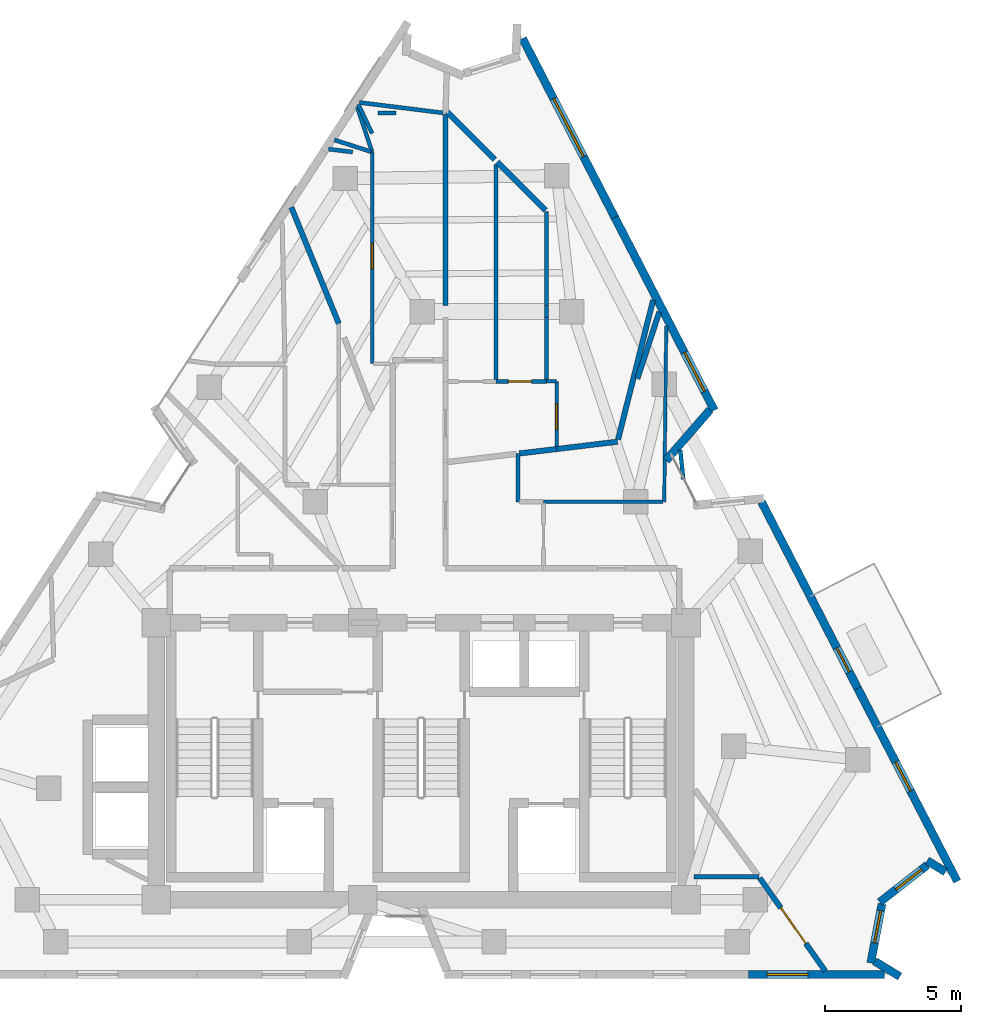
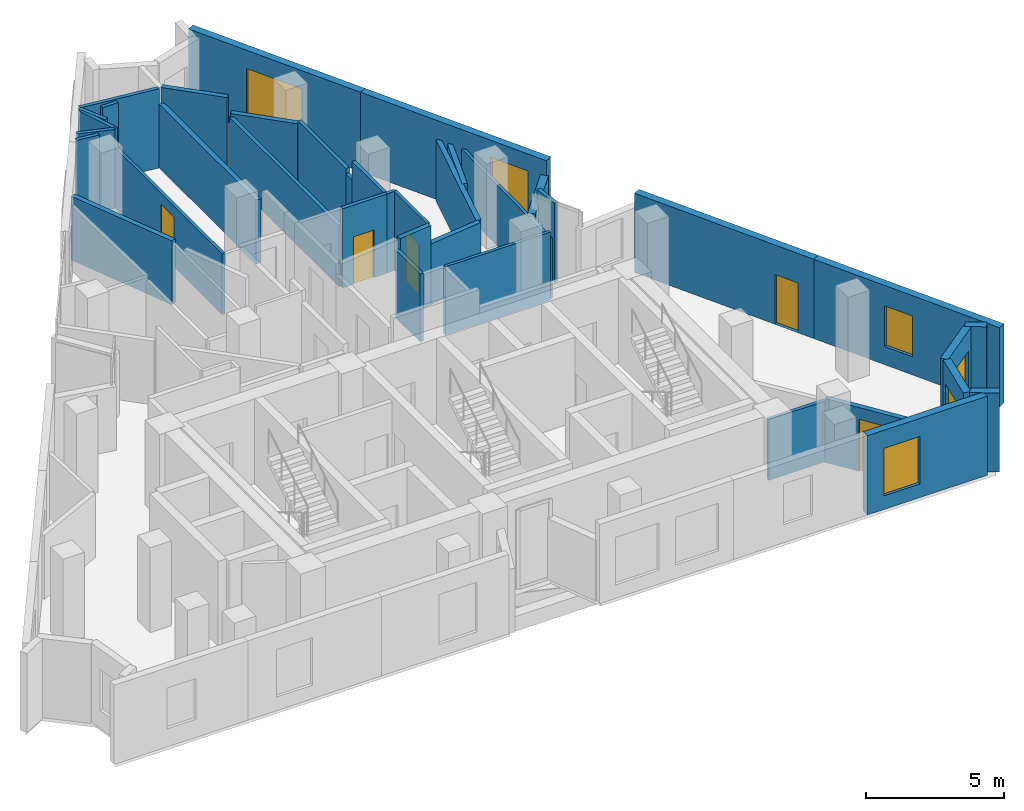
# One storey, part 7 of 10: 38 walls, 6 windows, 5 doors, 11 openings.
"""IFC4 building model written with IfcOpenShell, lengths in metres."""

from ifc_helpers import new_model, si_unit, direction, frame, frame_2d, origin, place, context, subcontext, project, spatial, rectangle, extrude, material, layer, layer_set, type_object, element, fill, save


model = new_model("IFC4")

# Units and contexts
model_context = context("Model", 3, precision=1e-05, world=origin(), true_north=direction((0.0, 1.0)))
body_context = subcontext(model_context, "Body", "Model", "MODEL_VIEW")
ifc_project = project(units=[si_unit("LENGTHUNIT", "METRE"), si_unit("AREAUNIT", "SQUARE_METRE"), si_unit("VOLUMEUNIT", "CUBIC_METRE"), si_unit("PLANEANGLEUNIT", "RADIAN"), si_unit("MASSUNIT", "GRAM", prefix="KILO")], contexts=[model_context])

# Site, building, storey
site_placement = place(None, origin())
site = spatial("IfcSite", under=ifc_project, at=site_placement, CompositionType="ELEMENT")
building_placement = place(site_placement, origin())
building = spatial("IfcBuilding", under=site, at=building_placement, Name="Almagre Mirador Tower", CompositionType="ELEMENT")
storey_placement = place(building_placement, frame((0.0, 0.0, 222.0)))
storey = spatial("IfcBuildingStorey", under=building, at=storey_placement, Name="L57", CompositionType="ELEMENT", Elevation=222.0)

# Wall, opening, window
ifc_material_1 = material(Name="Precast concrete C50/60", Category="concrete")
ifc_layer_1 = layer(ifc_material_1, 0.300048828125)
ifc_layer_set_1 = layer_set([ifc_layer_1], Name="Precast concrete C50/60")
wall_type_1 = type_object("IfcWallType", Name="WAL-EXT-300", PredefinedType="SOLIDWALL", material=ifc_layer_set_1)
wall_1_placement = place(storey_placement, frame((41.036865234375, 36.24951171875, 0.0), z_axis=(0.0, 0.0, 1.0), x_axis=(0.458281808999, -0.888806943909, 0.0)))
wall_1 = element("IfcWall", 1, at=wall_1_placement, inside=storey, type_object=wall_type_1, Name="L57 expressed almagre precast frame wall 09", PredefinedType="SOLIDWALL", context=body_context, shape_type="SweptSolid", body=[
    extrude(rectangle(XDim=7.406005859375, YDim=0.300048828125, at=frame_2d((3.703125, 0.0))), origin(), (0.0, 0.0, 1.0), 3.5),
])
opening_1_placement = place(wall_1_placement, frame((2.489990234375, 0.0, 0.60009765625)))
opening_1 = element("IfcOpeningElement", 2, at=opening_1_placement, cuts=wall_1, Name="Opening WN-02", PredefinedType="OPENING", context=body_context, shape_type="SweptSolid", body=[
    extrude(rectangle(XDim=2.39990234375, YDim=2.10009765625, at=frame_2d((1.199951171875, 1.050048828125))), frame((0.0, 0.159902, 0.0), z_axis=(0.0, -1.0, 0.0), x_axis=(1.0, 0.0, 0.0)), (0.0, 0.0, 1.0), 0.320049),
])
ifc_material_2 = material(Name="Dark solar-control laminated hurricane glass", Category="glass")
window_type_1 = type_object("IfcWindowType", Name="WIN-2400X2100", PartitioningType="TRIPLE_PANEL_VERTICAL", PredefinedType="WINDOW", material=ifc_material_2)
window_1_placement = place(opening_1_placement, origin())
window_1 = element("IfcWindow", 3, at=window_1_placement, inside=storey, type_object=window_type_1, Name="L57 recessed hurricane window L57-RST-K", OverallHeight=2.10009765625, OverallWidth=2.39990234375, PartitioningType="SINGLE_PANEL", PredefinedType="WINDOW", context=body_context, shape_type="SweptSolid", body=[
    extrude(rectangle(XDim=2.39990234375, YDim=2.10009765625, at=frame_2d((1.199951171875, 1.050048828125))), frame((0.0, 0.030029296875, 0.0), z_axis=(0.0, -1.0, 0.0), x_axis=(1.0, 0.0, 0.0)), (0.0, 0.0, 1.0), 0.06005859375),
])
fill(opening_1, window_1)

wall_2_placement = place(storey_placement, frame((44.430908203125, 29.6669921875, 0.0), z_axis=(0.0, 0.0, 1.0), x_axis=(0.45831213698, -0.888791305705, 0.0)))
wall_2 = element("IfcWall", 4, at=wall_2_placement, inside=storey, type_object=wall_type_1, Name="L57 expressed almagre precast frame wall 10", PredefinedType="SOLIDWALL", context=body_context, shape_type="SweptSolid", body=[
    extrude(rectangle(XDim=7.990966796875, YDim=0.300048828125, at=frame_2d((3.99560546875, 0.0))), origin(), (0.0, 0.0, 1.0), 3.5),
])
opening_2_placement = place(wall_2_placement, frame((5.60009765625, 0.0, 0.550048828125)))
opening_2 = element("IfcOpeningElement", 5, at=opening_2_placement, cuts=wall_2, Name="Opening WN-06", PredefinedType="OPENING", context=body_context, shape_type="SweptSolid", body=[
    extrude(rectangle(XDim=1.60009765625, YDim=2.199951171875, at=frame_2d((0.800048828125, 1.10009765625))), frame((0.0, 0.159902, 0.0), z_axis=(0.0, -1.0, 0.0), x_axis=(1.0, 0.0, 0.0)), (0.0, 0.0, 1.0), 0.320049),
])
ifc_material_3 = material(Name="Dark solar-control laminated hurricane glass", Category="glass")
window_type_2 = type_object("IfcWindowType", Name="WIN-1600X2200", PartitioningType="DOUBLE_PANEL_VERTICAL", PredefinedType="WINDOW", material=ifc_material_3)
window_2_placement = place(opening_2_placement, origin())
window_2 = element("IfcWindow", 6, at=window_2_placement, inside=storey, type_object=window_type_2, Name="L57 recessed hurricane window L57-UF-ST", OverallHeight=2.199951171875, OverallWidth=1.60009765625, PartitioningType="SINGLE_PANEL", PredefinedType="WINDOW", context=body_context, shape_type="SweptSolid", body=[
    extrude(rectangle(XDim=1.60009765625, YDim=2.199951171875, at=frame_2d((0.800048828125, 1.10009765625))), frame((0.0, 0.030029296875, 0.0), z_axis=(0.0, -1.0, 0.0), x_axis=(1.0, 0.0, 0.0)), (0.0, 0.0, 1.0), 0.06005859375),
])
fill(opening_2, window_2)

# Wall
wall_3_placement = place(storey_placement, frame((47.93701171875, 22.58349609375, 0.0), z_axis=(0.0, 0.0, 1.0), x_axis=(-0.656320509713, -0.754482198948, 0.0)))
element("IfcWall", 7, at=wall_3_placement, inside=storey, type_object=wall_type_1, Name="L57 expressed almagre precast frame wall 11", PredefinedType="SOLIDWALL", context=body_context, shape_type="SweptSolid", body=[
    extrude(rectangle(XDim=2.47216796875, YDim=0.300048828125, at=frame_2d((1.236083984375, 0.0))), origin(), (0.0, 0.0, 1.0), 2.824951171875),
])

# Wall, opening, door
wall_4_placement = place(storey_placement, frame((49.832763671875, 19.19091796875, 0.0), z_axis=(0.0, 0.0, 1.0), x_axis=(0.458291476536, -0.88880195912, 0.0)))
wall_4 = element("IfcWall", 8, at=wall_4_placement, inside=storey, type_object=wall_type_1, Name="L57 expressed almagre precast frame wall 13", PredefinedType="SOLIDWALL", context=body_context, shape_type="SweptSolid", body=[
    extrude(rectangle(XDim=7.7158203125, YDim=0.300048828125, at=frame_2d((3.85791015625, 0.0))), origin(), (0.0, 0.0, 1.0), 3.5),
])
opening_3_placement = place(wall_4_placement, frame((6.038818359375, 0.0, 0.0)))
opening_3 = element("IfcOpeningElement", 9, at=opening_3_placement, cuts=wall_4, Name="Opening BD-01", PredefinedType="OPENING", context=body_context, shape_type="SweptSolid", body=[
    extrude(rectangle(XDim=1.0, YDim=2.199951171875, at=frame_2d((0.5, 1.10009765625))), frame((0.0, 0.159902, 0.0), z_axis=(0.0, -1.0, 0.0), x_axis=(1.0, 0.0, 0.0)), (0.0, 0.0, 1.0), 0.320049),
])
ifc_material_4 = material(Name="Black anodized aluminium and laminated glass", Category="aluminium")
door_type_1 = type_object("IfcDoorType", Name="DOR-BAL-1000X2200", OperationType="NOTDEFINED", PredefinedType="DOOR", material=ifc_material_4)
door_1_placement = place(opening_3_placement, origin())
door_1 = element("IfcDoor", 10, at=door_1_placement, inside=storey, type_object=door_type_1, Name="DR-1752 L57 east balcony glazed door 1", OperationType="SINGLE_SWING_RIGHT", OverallHeight=2.199951171875, OverallWidth=1.0, PredefinedType="DOOR", context=body_context, shape_type="SweptSolid", body=[
    extrude(rectangle(XDim=1.0, YDim=2.199951171875, at=frame_2d((0.5, 1.10009765625))), frame((0.0, 0.02490234375, 0.0), z_axis=(0.0, -1.0, 0.0), x_axis=(1.0, 0.0, 0.0)), (0.0, 0.0, 1.0), 0.050048828125),
])
fill(opening_3, door_1)

# Wall, opening, window
wall_5_placement = place(storey_placement, frame((53.368896484375, 12.3330078125, 0.0), z_axis=(0.0, 0.0, 1.0), x_axis=(0.45831213698, -0.888791305705, 0.0)))
wall_5 = element("IfcWall", 11, at=wall_5_placement, inside=storey, type_object=wall_type_1, Name="L57 expressed almagre precast frame wall 14", PredefinedType="SOLIDWALL", context=body_context, shape_type="SweptSolid", body=[
    extrude(rectangle(XDim=7.990966796875, YDim=0.300048828125, at=frame_2d((3.99560546875, 0.0))), origin(), (0.0, 0.0, 1.0), 3.5),
])
opening_4_placement = place(wall_5_placement, frame((3.050048828125, 0.0, 0.800048828125)))
opening_4 = element("IfcOpeningElement", 12, at=opening_4_placement, cuts=wall_5, Name="Opening WN-04", PredefinedType="OPENING", context=body_context, shape_type="SweptSolid", body=[
    extrude(rectangle(XDim=1.199951171875, YDim=1.800048828125, at=frame_2d((0.60009765625, 0.89990234375))), frame((0.0, 0.159902, 0.0), z_axis=(0.0, -1.0, 0.0), x_axis=(1.0, 0.0, 0.0)), (0.0, 0.0, 1.0), 0.320049),
])
ifc_material_5 = material(Name="Dark solar-control laminated hurricane glass", Category="glass")
window_type_3 = type_object("IfcWindowType", Name="WIN-1200X1800", PartitioningType="SINGLE_PANEL", PredefinedType="WINDOW", material=ifc_material_5)
window_3_placement = place(opening_4_placement, origin())
window_3 = element("IfcWindow", 13, at=window_3_placement, inside=storey, type_object=window_type_3, Name="L57 recessed hurricane window L57-RST-C", OverallHeight=1.800048828125, OverallWidth=1.199951171875, PartitioningType="SINGLE_PANEL", PredefinedType="WINDOW", context=body_context, shape_type="SweptSolid", body=[
    extrude(rectangle(XDim=1.199951171875, YDim=1.800048828125, at=frame_2d((0.60009765625, 0.89990234375))), frame((0.0, 0.030029296875, 0.0), z_axis=(0.0, -1.0, 0.0), x_axis=(1.0, 0.0, 0.0)), (0.0, 0.0, 1.0), 0.06005859375),
])
fill(opening_4, window_3)

# Wall
wall_6_placement = place(storey_placement, frame((56.60400390625, 5.576171875, 0.0), z_axis=(0.0, 0.0, 1.0), x_axis=(-0.853729558339, 0.520716661168, 0.0)))
element("IfcWall", 14, at=wall_6_placement, inside=storey, type_object=wall_type_1, Name="L57 expressed almagre precast frame wall 15", PredefinedType="SOLIDWALL", context=body_context, shape_type="SweptSolid", body=[
    extrude(rectangle(XDim=0.794677734375, YDim=0.300048828125, at=frame_2d((0.3974609375, 0.0))), origin(), (0.0, 0.0, 1.0), 3.5),
])

# Wall, opening, window
wall_7_placement = place(storey_placement, frame((55.934814453125, 5.830810546875, 0.0), z_axis=(0.0, 0.0, 1.0), x_axis=(-0.788358616074, -0.61521597221, 0.0)))
wall_7 = element("IfcWall", 15, at=wall_7_placement, inside=storey, type_object=wall_type_1, Name="L57 expressed almagre precast frame wall 16", PredefinedType="SOLIDWALL", context=body_context, shape_type="SweptSolid", body=[
    extrude(rectangle(XDim=2.22509765625, YDim=0.300048828125, at=frame_2d((1.112548828125, 0.0))), origin(), (0.0, 0.0, 1.0), 3.5),
])
opening_5_placement = place(wall_7_placement, frame((0.27001953125, 0.0, 0.800048828125)))
opening_5 = element("IfcOpeningElement", 16, at=opening_5_placement, cuts=wall_7, Name="Opening WN-04", PredefinedType="OPENING", context=body_context, shape_type="SweptSolid", body=[
    extrude(rectangle(XDim=1.199951171875, YDim=1.800048828125, at=frame_2d((0.60009765625, 0.89990234375))), frame((0.0, 0.159902, 0.0), z_axis=(0.0, -1.0, 0.0), x_axis=(1.0, 0.0, 0.0)), (0.0, 0.0, 1.0), 0.320049),
])
window_4_placement = place(opening_5_placement, origin())
window_4 = element("IfcWindow", 17, at=window_4_placement, inside=storey, type_object=window_type_3, Name="L57 recessed hurricane window L57-RST-C", OverallHeight=1.800048828125, OverallWidth=1.199951171875, PartitioningType="SINGLE_PANEL", PredefinedType="WINDOW", context=body_context, shape_type="SweptSolid", body=[
    extrude(rectangle(XDim=1.199951171875, YDim=1.800048828125, at=frame_2d((0.60009765625, 0.89990234375))), frame((0.0, 0.030029296875, 0.0), z_axis=(0.0, -1.0, 0.0), x_axis=(1.0, 0.0, 0.0)), (0.0, 0.0, 1.0), 0.06005859375),
])
fill(opening_5, window_4)

wall_8_placement = place(storey_placement, frame((54.26318359375, 4.400634765625, 0.0), z_axis=(0.0, 0.0, 1.0), x_axis=(-0.185632792315, -0.982619186876, 0.0)))
wall_8 = element("IfcWall", 18, at=wall_8_placement, inside=storey, type_object=wall_type_1, Name="L57 expressed almagre precast frame wall 17", PredefinedType="SOLIDWALL", context=body_context, shape_type="SweptSolid", body=[
    extrude(rectangle(XDim=2.21484375, YDim=0.300048828125, at=frame_2d((1.107421875, 0.0))), origin(), (0.0, 0.0, 1.0), 3.5),
])
opening_6_placement = place(wall_8_placement, frame((0.260009765625, 0.0, 0.800048828125)))
opening_6 = element("IfcOpeningElement", 19, at=opening_6_placement, cuts=wall_8, Name="Opening WN-04", PredefinedType="OPENING", context=body_context, shape_type="SweptSolid", body=[
    extrude(rectangle(XDim=1.199951171875, YDim=1.800048828125, at=frame_2d((0.60009765625, 0.89990234375))), frame((0.0, 0.159902, 0.0), z_axis=(0.0, -1.0, 0.0), x_axis=(1.0, 0.0, 0.0)), (0.0, 0.0, 1.0), 0.320049),
])
window_5_placement = place(opening_6_placement, origin())
window_5 = element("IfcWindow", 20, at=window_5_placement, inside=storey, type_object=window_type_3, Name="L57 recessed hurricane window L57-RST-C", OverallHeight=1.800048828125, OverallWidth=1.199951171875, PartitioningType="SINGLE_PANEL", PredefinedType="WINDOW", context=body_context, shape_type="SweptSolid", body=[
    extrude(rectangle(XDim=1.199951171875, YDim=1.800048828125, at=frame_2d((0.60009765625, 0.89990234375))), frame((0.0, 0.030029296875, 0.0), z_axis=(0.0, -1.0, 0.0), x_axis=(1.0, 0.0, 0.0)), (0.0, 0.0, 1.0), 0.06005859375),
])
fill(opening_6, window_5)

# Wall
wall_9_placement = place(storey_placement, frame((53.99755859375, 2.2890625, 0.0), z_axis=(0.0, 0.0, 1.0), x_axis=(0.853840299064, -0.520535055203, 0.0)))
element("IfcWall", 21, at=wall_9_placement, inside=storey, type_object=wall_type_1, Name="L57 expressed almagre precast frame wall 18", PredefinedType="SOLIDWALL", context=body_context, shape_type="SweptSolid", body=[
    extrude(rectangle(XDim=1.07958984375, YDim=0.300048828125, at=frame_2d((0.539794921875, 0.0))), origin(), (0.0, 0.0, 1.0), 3.5),
])

# Wall, opening, window
wall_10_placement = place(storey_placement, frame((54.360107421875, 1.800048828125, 0.0), z_axis=(0.0, 0.0, 1.0), x_axis=(-1.0, 0.0, 0.0)))
wall_10 = element("IfcWall", 22, at=wall_10_placement, inside=storey, type_object=wall_type_1, Name="L57 expressed almagre precast frame wall 19", PredefinedType="SOLIDWALL", context=body_context, shape_type="SweptSolid", body=[
    extrude(rectangle(XDim=5.013427734375, YDim=0.300048828125, at=frame_2d((2.5068359375, 0.0))), origin(), (0.0, 0.0, 1.0), 3.5),
])
opening_7_placement = place(wall_10_placement, frame((2.820068359375, 0.0, 0.60009765625)))
opening_7 = element("IfcOpeningElement", 23, at=opening_7_placement, cuts=wall_10, Name="Opening WN-03", PredefinedType="OPENING", context=body_context, shape_type="SweptSolid", body=[
    extrude(rectangle(XDim=1.5, YDim=2.10009765625, at=frame_2d((0.75, 1.050048828125))), frame((0.0, 0.159902, 0.0), z_axis=(0.0, -1.0, 0.0), x_axis=(1.0, 0.0, 0.0)), (0.0, 0.0, 1.0), 0.320049),
])
ifc_material_6 = material(Name="Dark solar-control laminated hurricane glass", Category="glass")
window_type_4 = type_object("IfcWindowType", Name="WIN-1500X2100", PartitioningType="DOUBLE_PANEL_VERTICAL", PredefinedType="WINDOW", material=ifc_material_6)
window_6_placement = place(opening_7_placement, origin())
window_6 = element("IfcWindow", 24, at=window_6_placement, inside=storey, type_object=window_type_4, Name="L57 recessed hurricane window L57-UB-ST", OverallHeight=2.10009765625, OverallWidth=1.5, PartitioningType="SINGLE_PANEL", PredefinedType="WINDOW", context=body_context, shape_type="SweptSolid", body=[
    extrude(rectangle(XDim=1.5, YDim=2.10009765625, at=frame_2d((0.75, 1.050048828125))), frame((0.0, 0.030029296875, 0.0), z_axis=(0.0, -1.0, 0.0), x_axis=(1.0, 0.0, 0.0)), (0.0, 0.0, 1.0), 0.06005859375),
])
fill(opening_7, window_6)

# Walls
ifc_material_7 = material(Name="Gypsum acoustic stud partition", Category="other")
ifc_layer_2 = layer(ifc_material_7, 0.125)
ifc_layer_set_2 = layer_set([ifc_layer_2], Name="Gypsum acoustic stud partition")
wall_type_2 = type_object("IfcWallType", Name="WAL-PRT-125-UTL", PredefinedType="PARTITIONING", material=ifc_layer_set_2)
wall_11_placement = place(storey_placement, frame((46.323486328125, 25.675048828125, 0.0), z_axis=(0.0, 0.0, 1.0), x_axis=(-0.011348337881, -0.99993560554, 0.0)))
element("IfcWall", 25, at=wall_11_placement, inside=storey, type_object=wall_type_2, Name="L57 interior partition 034", PredefinedType="PARTITIONING", context=body_context, shape_type="SweptSolid", body=[
    extrude(rectangle(XDim=6.4755859375, YDim=0.125, at=frame_2d((3.23779296875, 0.0))), origin(), (0.0, 0.0, 1.0), 2.68505859375),
])
wall_12_placement = place(storey_placement, frame((46.202392578125, 19.199951171875, 0.0), z_axis=(0.0, 0.0, 1.0), x_axis=(-1.0, 0.0, 0.0)))
element("IfcWall", 26, at=wall_12_placement, inside=storey, type_object=wall_type_2, Name="L57 interior partition 035", PredefinedType="PARTITIONING", context=body_context, shape_type="SweptSolid", body=[
    extrude(rectangle(XDim=4.40234375, YDim=0.125, at=frame_2d((2.201171875, 0.0))), origin(), (0.0, 0.0, 1.0), 3.0029296875),
])

# Wall, opening, door
wall_13_placement = place(storey_placement, frame((42.2900390625, 21.22509765625, 0.0), z_axis=(0.0, 0.0, 1.0), x_axis=(0.0, 1.0, 0.0)))
wall_13 = element("IfcWall", 27, at=wall_13_placement, inside=storey, type_object=wall_type_2, Name="L57 interior partition 053", PredefinedType="PARTITIONING", context=body_context, shape_type="SweptSolid", body=[
    extrude(rectangle(XDim=2.40478515625, YDim=0.125, at=frame_2d((1.202392578125, 0.0))), origin(), (0.0, 0.0, 1.0), 3.5),
])
opening_8_placement = place(wall_13_placement, frame((0.627685546875, 0.0, 0.0)))
opening_8 = element("IfcOpeningElement", 28, at=opening_8_placement, cuts=wall_13, Name="Opening UD-01", PredefinedType="OPENING", context=body_context, shape_type="SweptSolid", body=[
    extrude(rectangle(XDim=0.949951171875, YDim=2.199951171875, at=frame_2d((0.47509765625, 1.10009765625))), frame((0.0, 0.0725, 0.0), z_axis=(0.0, -1.0, 0.0), x_axis=(1.0, 0.0, 0.0)), (0.0, 0.0, 1.0), 0.145),
])
ifc_material_8 = material(Name="Solid American walnut timber", Category="wood")
door_type_2 = type_object("IfcDoorType", Name="DOR-UNR-950X2200", OperationType="NOTDEFINED", PredefinedType="DOOR", material=ifc_material_8)
door_2_placement = place(opening_8_placement, origin())
door_2 = element("IfcDoor", 29, at=door_2_placement, inside=storey, type_object=door_type_2, Name="DR-1764 L57 interior door L57-UH-LV to L57-UH-KT", OperationType="SINGLE_SWING_LEFT", OverallHeight=2.199951171875, OverallWidth=0.949951171875, PredefinedType="DOOR", context=body_context, shape_type="SweptSolid", body=[
    extrude(rectangle(XDim=0.949951171875, YDim=2.199951171875, at=frame_2d((0.47509765625, 1.10009765625))), frame((0.0, 0.02490234375, 0.0), z_axis=(0.0, -1.0, 0.0), x_axis=(1.0, 0.0, 0.0)), (0.0, 0.0, 1.0), 0.050048828125),
])
fill(opening_8, door_2)

# Wall
wall_14_placement = place(storey_placement, frame((42.2900390625, 23.6298828125, 0.0), z_axis=(0.0, 0.0, 1.0), x_axis=(-1.0, 0.0, 0.0)))
element("IfcWall", 30, at=wall_14_placement, inside=storey, type_object=wall_type_2, Name="L57 interior partition 054", PredefinedType="PARTITIONING", context=body_context, shape_type="SweptSolid", body=[
    extrude(rectangle(XDim=0.3701171875, YDim=0.125, at=frame_2d((0.18505859375, 0.0))), origin(), (0.0, 0.0, 1.0), 3.5),
])

# Wall, opening, door
wall_15_placement = place(storey_placement, frame((35.5, 32.070068359375, 0.0), z_axis=(0.0, 0.0, 1.0), x_axis=(0.0, -1.0, 0.0)))
wall_15 = element("IfcWall", 31, at=wall_15_placement, inside=storey, type_object=wall_type_2, Name="L57 interior partition 064", PredefinedType="PARTITIONING", context=body_context, shape_type="SweptSolid", body=[
    extrude(rectangle(XDim=7.7900390625, YDim=0.125, at=frame_2d((3.89501953125, 0.0))), origin(), (0.0, 0.0, 1.0), 2.68505859375),
])
opening_9_placement = place(wall_15_placement, frame((3.3603515625, 0.0, 0.0)))
opening_9 = element("IfcOpeningElement", 32, at=opening_9_placement, cuts=wall_15, Name="Opening UD-01", PredefinedType="OPENING", context=body_context, shape_type="SweptSolid", body=[
    extrude(rectangle(XDim=0.949951171875, YDim=2.199951171875, at=frame_2d((0.47509765625, 1.10009765625))), frame((0.0, 0.0725, 0.0), z_axis=(0.0, -1.0, 0.0), x_axis=(1.0, 0.0, 0.0)), (0.0, 0.0, 1.0), 0.145),
])
door_3_placement = place(opening_9_placement, origin())
door_3 = element("IfcDoor", 33, at=door_3_placement, inside=storey, type_object=door_type_2, Name="DR-1768 L57 interior door L57-UJ-ST to L57-UJ-KT", OperationType="SINGLE_SWING_LEFT", OverallHeight=2.199951171875, OverallWidth=0.949951171875, PredefinedType="DOOR", context=body_context, shape_type="SweptSolid", body=[
    extrude(rectangle(XDim=0.949951171875, YDim=2.199951171875, at=frame_2d((0.47509765625, 1.10009765625))), frame((0.0, 0.02490234375, 0.0), z_axis=(0.0, -1.0, 0.0), x_axis=(1.0, 0.0, 0.0)), (0.0, 0.0, 1.0), 0.050048828125),
])
fill(opening_9, door_3)

# Walls
ifc_material_9 = material(Name="Gypsum acoustic stud partition", Category="other")
ifc_layer_3 = layer(ifc_material_9, 0.14990234375)
ifc_layer_set_3 = layer_set([ifc_layer_3], Name="Gypsum acoustic stud partition")
wall_type_3 = type_object("IfcWallType", Name="WAL-PRT-150-STD", PredefinedType="PARTITIONING", material=ifc_layer_set_3)
wall_16_placement = place(storey_placement, frame((49.72998046875, 5.39990234375, 0.0), z_axis=(0.0, 0.0, 1.0), x_axis=(-1.0, 0.0, 0.0)))
element("IfcWall", 34, at=wall_16_placement, inside=storey, type_object=wall_type_3, Name="L57 interior partition 022", PredefinedType="PARTITIONING", context=body_context, shape_type="SweptSolid", body=[
    extrude(rectangle(XDim=2.3798828125, YDim=0.14990234375, at=frame_2d((1.18994140625, 0.0))), origin(), (0.0, 0.0, 1.0), 2.68505859375),
])
wall_17_placement = place(storey_placement, frame((40.860107421875, 20.969970703125, 0.0), z_axis=(0.0, 0.0, 1.0), x_axis=(0.0, -1.0, 0.0)))
element("IfcWall", 35, at=wall_17_placement, inside=storey, type_object=wall_type_3, Name="L57 interior partition 037", PredefinedType="PARTITIONING", context=body_context, shape_type="SweptSolid", body=[
    extrude(rectangle(XDim=1.77001953125, YDim=0.14990234375, at=frame_2d((0.885009765625, 0.0))), origin(), (0.0, 0.0, 1.0), 3.0029296875),
])

# Wall, opening, door
wall_18_placement = place(storey_placement, frame((41.919921875, 23.6298828125, 0.0), z_axis=(0.0, 0.0, 1.0), x_axis=(-1.0, 0.0, 0.0)))
wall_18 = element("IfcWall", 36, at=wall_18_placement, inside=storey, type_object=wall_type_3, Name="L57 interior partition 052", PredefinedType="PARTITIONING", context=body_context, shape_type="SweptSolid", body=[
    extrude(rectangle(XDim=1.85986328125, YDim=0.14990234375, at=frame_2d((0.929931640625, 0.0))), origin(), (0.0, 0.0, 1.0), 3.5),
])
opening_10_placement = place(wall_18_placement, frame((0.55712890625, 0.0, 0.0)))
opening_10 = element("IfcOpeningElement", 37, at=opening_10_placement, cuts=wall_18, Name="Opening UD-04", PredefinedType="OPENING", context=body_context, shape_type="SweptSolid", body=[
    extrude(rectangle(XDim=0.85009765625, YDim=2.10009765625, at=frame_2d((0.425048828125, 1.050048828125))), frame((0.0, 0.084951, 0.0), z_axis=(0.0, -1.0, 0.0), x_axis=(1.0, 0.0, 0.0)), (0.0, 0.0, 1.0), 0.169902),
])
ifc_material_10 = material(Name="Moisture-resistant oak timber", Category="wood")
door_type_3 = type_object("IfcDoorType", Name="DOR-UNR-850X2100", OperationType="NOTDEFINED", PredefinedType="DOOR", material=ifc_material_10)
door_4_placement = place(opening_10_placement, origin())
door_4 = element("IfcDoor", 38, at=door_4_placement, inside=storey, type_object=door_type_3, Name="DR-1765 L57 interior door L57-UH-LV to L57-UH-HB", OperationType="SINGLE_SWING_RIGHT", OverallHeight=2.10009765625, OverallWidth=0.85009765625, PredefinedType="DOOR", context=body_context, shape_type="SweptSolid", body=[
    extrude(rectangle(XDim=0.85009765625, YDim=2.10009765625, at=frame_2d((0.425048828125, 1.050048828125))), frame((0.0, 0.02490234375, 0.0), z_axis=(0.0, -1.0, 0.0), x_axis=(1.0, 0.0, 0.0)), (0.0, 0.0, 1.0), 0.050048828125),
])
fill(opening_10, door_4)

# Walls
wall_19_placement = place(storey_placement, frame((41.919921875, 23.68994140625, 0.0), z_axis=(0.0, 0.0, 1.0), x_axis=(0.0, 1.0, 0.0)))
element("IfcWall", 39, at=wall_19_placement, inside=storey, type_object=wall_type_3, Name="L57 interior partition 056", PredefinedType="PARTITIONING", context=body_context, shape_type="SweptSolid", body=[
    extrude(rectangle(XDim=2.2900390625, YDim=0.14990234375, at=frame_2d((1.14501953125, 0.0))), origin(), (0.0, 0.0, 1.0), 3.5),
])
wall_20_placement = place(storey_placement, frame((41.919921875, 26.419921875, 0.0), z_axis=(0.0, 0.0, 1.0), x_axis=(0.0, 1.0, 0.0)))
element("IfcWall", 40, at=wall_20_placement, inside=storey, type_object=wall_type_3, Name="L57 interior partition 057", PredefinedType="PARTITIONING", context=body_context, shape_type="SweptSolid", body=[
    extrude(rectangle(XDim=3.469970703125, YDim=0.14990234375, at=frame_2d((1.73486328125, 0.0))), origin(), (0.0, 0.0, 1.0), 2.9208984375),
])
wall_21_placement = place(storey_placement, frame((40.06005859375, 31.614990234375, 0.0), z_axis=(0.0, 0.0, 1.0), x_axis=(0.0, -1.0, 0.0)))
element("IfcWall", 41, at=wall_21_placement, inside=storey, type_object=wall_type_3, Name="L57 interior partition 058", PredefinedType="PARTITIONING", context=body_context, shape_type="SweptSolid", body=[
    extrude(rectangle(XDim=7.925048828125, YDim=0.14990234375, at=frame_2d((3.96240234375, 0.0))), origin(), (0.0, 0.0, 1.0), 2.68505859375),
])
wall_22_placement = place(storey_placement, frame((38.115478515625, 33.510009765625, 0.0), z_axis=(0.0, 0.0, 1.0), x_axis=(-0.992347761179, 0.123474373385, 0.0)))
element("IfcWall", 42, at=wall_22_placement, inside=storey, type_object=wall_type_3, Name="L57 interior partition 066", PredefinedType="PARTITIONING", context=body_context, shape_type="SweptSolid", body=[
    extrude(rectangle(XDim=3.110107421875, YDim=0.14990234375, at=frame_2d((1.55517578125, 0.0))), origin(), (0.0, 0.0, 1.0), 3.5),
])
wall_23_placement = place(storey_placement, frame((34.95166015625, 33.723388671875, 0.0), z_axis=(0.0, 0.0, 1.0), x_axis=(0.314797782119, -0.94915876247, 0.0)))
element("IfcWall", 43, at=wall_23_placement, inside=storey, type_object=wall_type_3, Name="L57 interior partition 067", PredefinedType="PARTITIONING", context=body_context, shape_type="SweptSolid", body=[
    extrude(rectangle(XDim=1.741943359375, YDim=0.14990234375, at=frame_2d((0.87109375, 0.0))), origin(), (0.0, 0.0, 1.0), 3.5),
])
wall_24_placement = place(storey_placement, frame((35.45458984375, 32.084228515625, 0.0), z_axis=(0.0, 0.0, 1.0), x_axis=(-0.952019560868, 0.306037180297, 0.0)))
element("IfcWall", 44, at=wall_24_placement, inside=storey, type_object=wall_type_3, Name="L57 interior partition 068", PredefinedType="PARTITIONING", context=body_context, shape_type="SweptSolid", body=[
    extrude(rectangle(XDim=1.4111328125, YDim=0.14990234375, at=frame_2d((0.70556640625, 0.0))), origin(), (0.0, 0.0, 1.0), 3.5),
])
wall_25_placement = place(storey_placement, frame((46.83935546875, 21.103515625, 0.0), z_axis=(0.0, 0.0, 1.0), x_axis=(0.104366590227, -0.994538895592, 0.0)))
element("IfcWall", 45, at=wall_25_placement, inside=storey, type_object=wall_type_3, Name="L57 interior partition 073", PredefinedType="PARTITIONING", context=body_context, shape_type="SweptSolid", body=[
    extrude(rectangle(XDim=1.078369140625, YDim=0.14990234375, at=frame_2d((0.5390625, 0.0))), origin(), (0.0, 0.0, 1.0), 3.5),
])
wall_26_placement = place(storey_placement, frame((41.919921875, 25.97998046875, 0.0), z_axis=(0.0, 0.0, 1.0), x_axis=(0.0, 1.0, 0.0)))
element("IfcWall", 46, at=wall_26_placement, inside=storey, type_object=wall_type_3, Name="L57 interior partition 076", PredefinedType="PARTITIONING", context=body_context, shape_type="SweptSolid", body=[
    extrude(rectangle(XDim=0.43994140625, YDim=0.14990234375, at=frame_2d((0.219970703125, 0.0))), origin(), (0.0, 0.0, 1.0), 2.68505859375),
])
wall_27_placement = place(storey_placement, frame((33.89501953125, 32.177978515625, 0.0), z_axis=(0.0, 0.0, 1.0), x_axis=(0.992696188516, -0.12064110952, 0.0)))
element("IfcWall", 47, at=wall_27_placement, inside=storey, type_object=wall_type_3, Name="L57 interior partition 077", PredefinedType="PARTITIONING", context=body_context, shape_type="SweptSolid", body=[
    extrude(rectangle(XDim=0.89453125, YDim=0.14990234375, at=frame_2d((0.447265625, 0.0))), origin(), (0.0, 0.0, 1.0), 3.5),
])
wall_28_placement = place(storey_placement, frame((35.5, 32.7529296875, 0.0), z_axis=(0.0, 0.0, 1.0), x_axis=(-0.43097638097, 0.902363207941, 0.0)))
element("IfcWall", 48, at=wall_28_placement, inside=storey, type_object=wall_type_3, Name="L57 interior partition 078", PredefinedType="PARTITIONING", context=body_context, shape_type="SweptSolid", body=[
    extrude(rectangle(XDim=1.190185546875, YDim=0.14990234375, at=frame_2d((0.59521484375, 0.0))), origin(), (0.0, 0.0, 1.0), 3.5),
])
wall_29_placement = place(storey_placement, frame((35.715087890625, 33.5, 0.0), z_axis=(0.0, 0.0, 1.0), x_axis=(1.0, 0.0, 0.0)))
element("IfcWall", 49, at=wall_29_placement, inside=storey, type_object=wall_type_3, Name="L57 interior partition 079", PredefinedType="PARTITIONING", context=body_context, shape_type="SweptSolid", body=[
    extrude(rectangle(XDim=0.6689453125, YDim=0.14990234375, at=frame_2d((0.33447265625, 0.0))), origin(), (0.0, 0.0, 1.0), 3.5),
])

# Wall, opening, door
ifc_material_11 = material(Name="Gypsum acoustic stud partition", Category="other")
ifc_layer_4 = layer(ifc_material_11, 0.199951171875)
ifc_layer_set_4 = layer_set([ifc_layer_4], Name="Gypsum acoustic stud partition")
wall_type_4 = type_object("IfcWallType", Name="WAL-PRT-200-EI60", PredefinedType="PARTITIONING", material=ifc_layer_set_4)
wall_30_placement = place(storey_placement, frame((52.173095703125, 1.931884765625, 0.0), z_axis=(0.0, 0.0, 1.0), x_axis=(-0.575802801628, 0.817588609043, 0.0)))
wall_30 = element("IfcWall", 50, at=wall_30_placement, inside=storey, type_object=wall_type_4, Name="L57 interior partition 023", PredefinedType="PARTITIONING", context=body_context, shape_type="SweptSolid", body=[
    extrude(rectangle(XDim=4.182373046875, YDim=0.199951171875, at=frame_2d((2.09130859375, 0.0))), origin(), (0.0, 0.0, 1.0), 2.820068359375),
])
opening_11_placement = place(wall_30_placement, frame((1.23876953125, 0.0, 0.0)))
opening_11 = element("IfcOpeningElement", 51, at=opening_11_placement, cuts=wall_30, Name="Opening ID-05", PredefinedType="OPENING", context=body_context, shape_type="SweptSolid", body=[
    extrude(rectangle(XDim=1.60009765625, YDim=2.300048828125, at=frame_2d((0.800048828125, 1.14990234375))), frame((0.0, 0.110098, 0.0), z_axis=(0.0, -1.0, 0.0), x_axis=(1.0, 0.0, 0.0)), (0.0, 0.0, 1.0), 0.219951),
])
ifc_material_12 = material(Name="Fire-rated acoustic timber", Category="wood")
door_type_4 = type_object("IfcDoorType", Name="DOR-FD60-1600X2300", OperationType="DOUBLE_DOOR_SINGLE_SWING", PredefinedType="DOOR", material=ifc_material_12)
door_5_placement = place(opening_11_placement, origin())
door_5 = element("IfcDoor", 52, at=door_5_placement, inside=storey, type_object=door_type_4, Name="DR-1769 L57 interior door L57-UB-ST to L57-UF-ST", OperationType="DOUBLE_DOOR_SINGLE_SWING", OverallHeight=2.300048828125, OverallWidth=1.60009765625, PredefinedType="DOOR", context=body_context, shape_type="SweptSolid", body=[
    extrude(rectangle(XDim=1.60009765625, YDim=2.300048828125, at=frame_2d((0.800048828125, 1.14990234375))), frame((0.0, 0.02490234375, 0.0), z_axis=(0.0, -1.0, 0.0), x_axis=(1.0, 0.0, 0.0)), (0.0, 0.0, 1.0), 0.050048828125),
])
fill(opening_11, door_5)

# Walls
wall_31_placement = place(storey_placement, frame((42.2900390625, 21.139892578125, 0.0), z_axis=(0.0, 0.0, 1.0), x_axis=(-0.9930134684, -0.118001065994, 0.0)))
element("IfcWall", 53, at=wall_31_placement, inside=storey, type_object=wall_type_4, Name="L57 interior partition 039", PredefinedType="PARTITIONING", context=body_context, shape_type="SweptSolid", body=[
    extrude(rectangle(XDim=1.3798828125, YDim=0.199951171875, at=frame_2d((0.68994140625, 0.0))), origin(), (0.0, 0.0, 1.0), 3.5),
])
wall_32_placement = place(storey_placement, frame((46.06494140625, 26.18310546875, 0.0), z_axis=(0.0, 0.0, 1.0), x_axis=(-0.31086365412, -0.950454516822, 0.0)))
element("IfcWall", 54, at=wall_32_placement, inside=storey, type_object=wall_type_4, Name="L57 interior partition 040", PredefinedType="PARTITIONING", context=body_context, shape_type="SweptSolid", body=[
    extrude(rectangle(XDim=2.5830078125, YDim=0.199951171875, at=frame_2d((1.29150390625, 0.0))), origin(), (0.0, 0.0, 1.0), 2.68505859375),
])
wall_33_placement = place(storey_placement, frame((44.530029296875, 21.409912109375, 0.0), z_axis=(0.0, 0.0, 1.0), x_axis=(-0.992812691798, -0.119678565355, 0.0)))
element("IfcWall", 55, at=wall_33_placement, inside=storey, type_object=wall_type_4, Name="L57 interior partition 041", PredefinedType="PARTITIONING", context=body_context, shape_type="SweptSolid", body=[
    extrude(rectangle(XDim=2.256103515625, YDim=0.199951171875, at=frame_2d((1.1279296875, 0.0))), origin(), (0.0, 0.0, 1.0), 2.68505859375),
])
wall_34_placement = place(storey_placement, frame((34.27001953125, 25.760009765625, 0.0), z_axis=(0.0, 0.0, 1.0), x_axis=(-0.377704718106, 0.92592610176, 0.0)))
element("IfcWall", 56, at=wall_34_placement, inside=storey, type_object=wall_type_4, Name="L57 interior partition 051", PredefinedType="PARTITIONING", context=body_context, shape_type="SweptSolid", body=[
    extrude(rectangle(XDim=4.620361328125, YDim=0.199951171875, at=frame_2d((2.31005859375, 0.0))), origin(), (0.0, 0.0, 1.0), 2.820068359375),
])
wall_35_placement = place(storey_placement, frame((41.877685546875, 29.932373046875, 0.0), z_axis=(0.0, 0.0, 1.0), x_axis=(-0.707155401311, 0.707058157719, 0.0)))
element("IfcWall", 57, at=wall_35_placement, inside=storey, type_object=wall_type_4, Name="L57 interior partition 059", PredefinedType="PARTITIONING", context=body_context, shape_type="SweptSolid", body=[
    extrude(rectangle(XDim=2.510498046875, YDim=0.199951171875, at=frame_2d((1.25537109375, 0.0))), origin(), (0.0, 0.0, 1.0), 2.820068359375),
])
wall_36_placement = place(storey_placement, frame((38.199951171875, 33.445068359375, 0.0), z_axis=(0.0, 0.0, 1.0), x_axis=(0.0, -1.0, 0.0)))
element("IfcWall", 58, at=wall_36_placement, inside=storey, type_object=wall_type_4, Name="L57 interior partition 062", PredefinedType="PARTITIONING", context=body_context, shape_type="SweptSolid", body=[
    extrude(rectangle(XDim=7.025146484375, YDim=0.199951171875, at=frame_2d((3.5126953125, 0.0))), origin(), (0.0, 0.0, 1.0), 2.820068359375),
])
wall_37_placement = place(storey_placement, frame((40.017578125, 31.79248046875, 0.0), z_axis=(0.0, 0.0, 1.0), x_axis=(-0.707156093002, 0.707057465932, 0.0)))
element("IfcWall", 59, at=wall_37_placement, inside=storey, type_object=wall_type_4, Name="L57 interior partition 063", PredefinedType="PARTITIONING", context=body_context, shape_type="SweptSolid", body=[
    extrude(rectangle(XDim=2.475341796875, YDim=0.199951171875, at=frame_2d((1.23779296875, 0.0))), origin(), (0.0, 0.0, 1.0), 3.5),
])
wall_38_placement = place(storey_placement, frame((45.839111328125, 26.618896484375, 0.0), z_axis=(0.0, 0.0, 1.0), x_axis=(-0.243828685377, -0.969818319165, 0.0)))
element("IfcWall", 60, at=wall_38_placement, inside=storey, type_object=wall_type_4, Name="L57 interior partition 074", PredefinedType="PARTITIONING", context=body_context, shape_type="SweptSolid", body=[
    extrude(rectangle(XDim=5.28564453125, YDim=0.199951171875, at=frame_2d((2.642822265625, 0.0))), origin(), (0.0, 0.0, 1.0), 2.68505859375),
])

save(model, "model.ifc")
